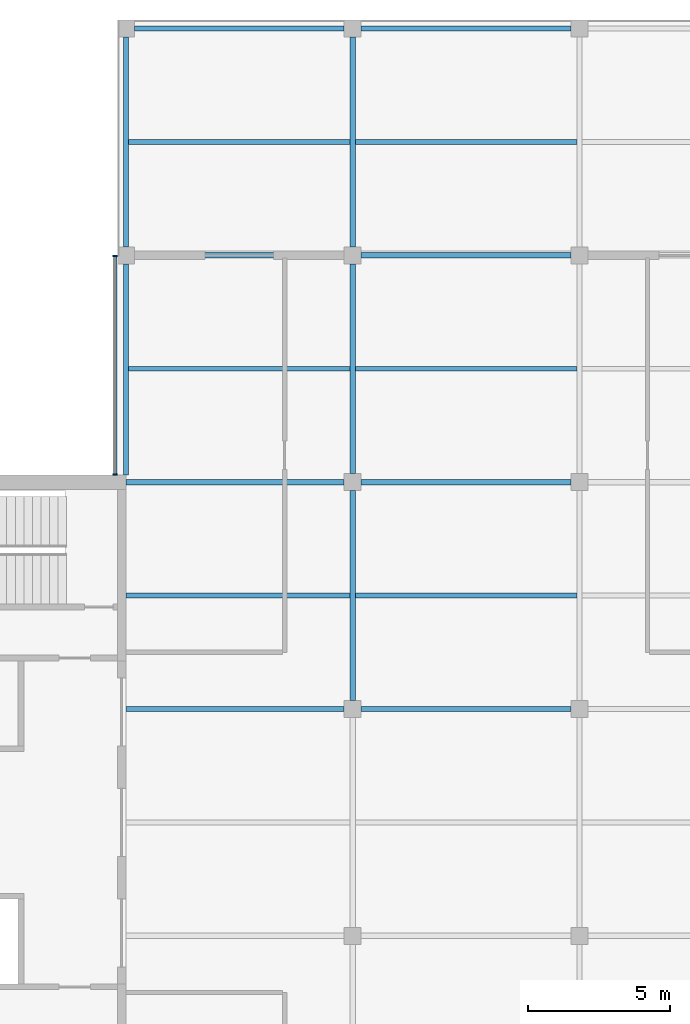
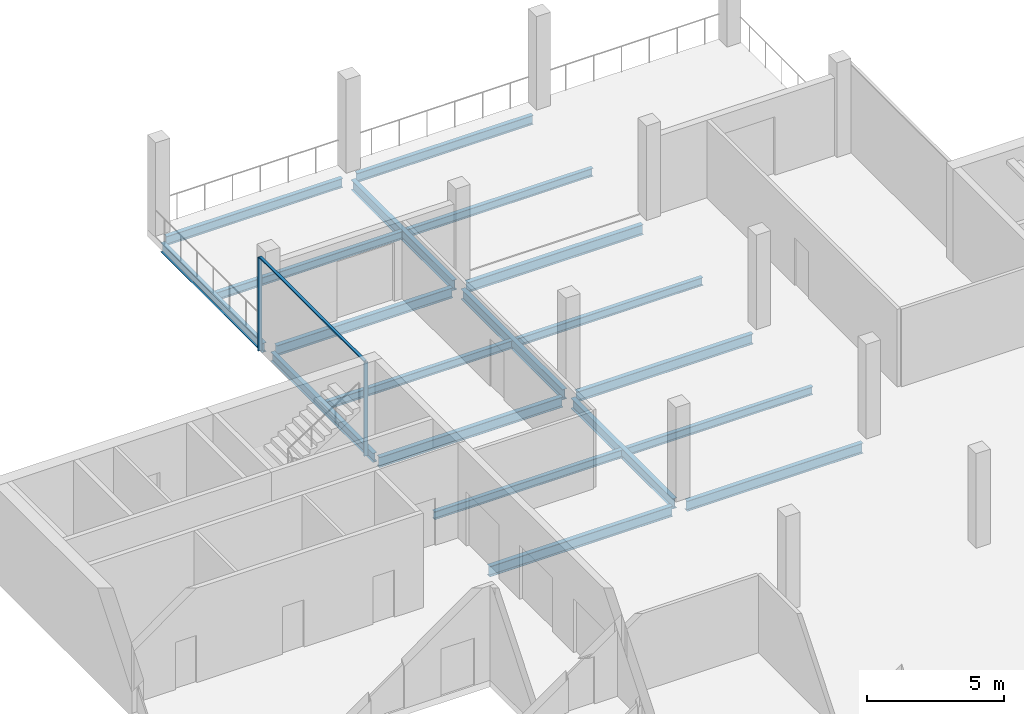
# One storey, part 5 of 12: 19 beams, 3 members, 1 element without a shape of its own.
"""IFC4 building model written with IfcOpenShell, lengths in metres."""

from ifc_helpers import new_model, si_unit, direction, frame, origin, origin_2d, place, context, subcontext, project, spatial, rectangle, i_section, extrude, material, material_profile, profile_set, type_object, element, aggregate, save


model = new_model("IFC4")

# Units and contexts
model_context = context("Model", 3, precision=1e-05, world=origin(), true_north=direction((0.0, 1.0)))
body_context = subcontext(model_context, "Body", "Model", "MODEL_VIEW")
ifc_project = project(units=[si_unit("LENGTHUNIT", "METRE"), si_unit("AREAUNIT", "SQUARE_METRE"), si_unit("VOLUMEUNIT", "CUBIC_METRE"), si_unit("PLANEANGLEUNIT", "RADIAN"), si_unit("MASSUNIT", "GRAM", prefix="KILO")], contexts=[model_context])

# Site, building, storey
site_placement = place(None, origin())
site = spatial("IfcSite", under=ifc_project, at=site_placement, CompositionType="ELEMENT")
building_placement = place(site_placement, origin())
building = spatial("IfcBuilding", under=site, at=building_placement, Name="Crosswind Convention Tower", CompositionType="ELEMENT")
storey_placement = place(building_placement, frame((0.0, 0.0, 332.300048828125)))
storey = spatial("IfcBuildingStorey", under=building, at=storey_placement, Name="L72", CompositionType="ELEMENT", Elevation=332.300048828125)

# Beams
ifc_material_1 = material(Name="Steel S355", Category="steel")
ifc_material_profile_1 = material_profile(ifc_material_1, i_section(OverallWidth=0.177734375, OverallDepth=0.406494140625, WebThickness=0.0078125, FlangeThickness=0.0126953125, FilletRadius=0.01025390625, at=origin_2d()), Name="UB 406x178x60")
ifc_profile_set_1 = profile_set([ifc_material_profile_1], Name="Steel S355")
beam_type_1 = type_object("IfcBeamType", Name="Edge beam UB 406x178x60", PredefinedType="SPANDREL", material=ifc_profile_set_1)
beam_1_placement = place(storey_placement, frame((113.0, 112.25, -0.503173828125), z_axis=(0.0, 1.0, 0.0), x_axis=(-1.0, 0.0, 0.0)))
element("IfcBeam", 1, at=beam_1_placement, inside=storey, type_object=beam_type_1, Name="B15 L72 edge beam 3", PredefinedType="SPANDREL", context=body_context, shape_type="SweptSolid", body=[
    extrude(i_section(OverallWidth=0.177734375, OverallDepth=0.406494140625, WebThickness=0.0078125, FlangeThickness=0.0126953125, FilletRadius=0.01025390625, at=origin_2d()), origin(), (0.0, 0.0, 1.0), 7.449951171875),
])
for number, where, z_axis, x_axis, name in (
    (2, (113.0, 120.300048828125, -0.503173828125), (0.0, 1.0, 0.0), (-1.0, 0.0, 0.0), "B15 L72 edge beam 4"),
    (3, (113.300048828125, 128.0, -0.503173828125), (1.0, 0.0, 0.0), (0.0, 1.0, 0.0), "B15 L72 edge beam 6"),
    (4, (121.300048828125, 128.0, -0.503173828125), (1.0, 0.0, 0.0), (0.0, 1.0, 0.0), "B15 L72 edge beam 8"),
):
    element("IfcBeam", number, at=place(storey_placement, frame(where, z_axis=z_axis, x_axis=x_axis)), inside=storey, type_object=beam_type_1, Name=name, PredefinedType="SPANDREL", context=body_context, shape_type="SweptSolid", body=[
        extrude(i_section(OverallWidth=0.177734375, OverallDepth=0.406494140625, WebThickness=0.0078125, FlangeThickness=0.0126953125, FilletRadius=0.01025390625, at=origin_2d()), origin(), (0.0, 0.0, 1.0), 7.39990234375),
    ])
ifc_material_profile_2 = material_profile(ifc_material_1, i_section(OverallWidth=0.18994140625, OverallDepth=0.45361328125, WebThickness=0.008544921875, FlangeThickness=0.0126953125, FilletRadius=0.01025390625, at=origin_2d()), Name="UB 457x191x67")
ifc_profile_set_2 = profile_set([ifc_material_profile_2], Name="Steel S355")
beam_type_2 = type_object("IfcBeamType", Name="Girder UB 457x191x67", PredefinedType="BEAM", material=ifc_profile_set_2)
for number, where, z_axis, x_axis, name in (
    (5, (113.300048828125, 120.0, -0.52685546875), (1.0, 0.0, 0.0), (0.0, 1.0, 0.0), "B1 L72 girder 2"),
    (6, (121.0, 104.300048828125, -0.52685546875), (0.0, 1.0, 0.0), (-1.0, 0.0, 0.0), "B1 L72 girder 7"),
    (7, (121.0, 112.300048828125, -0.52685546875), (0.0, 1.0, 0.0), (-1.0, 0.0, 0.0), "B1 L72 girder 8"),
    (8, (121.0, 120.300048828125, -0.52685546875), (0.0, 1.0, 0.0), (-1.0, 0.0, 0.0), "B1 L72 girder 9"),
    (9, (121.300048828125, 104.0, -0.52685546875), (1.0, 0.0, 0.0), (0.0, 1.0, 0.0), "B1 L72 girder 13"),
    (10, (121.300048828125, 112.0, -0.52685546875), (1.0, 0.0, 0.0), (0.0, 1.0, 0.0), "B1 L72 girder 14"),
    (11, (121.300048828125, 120.0, -0.52685546875), (1.0, 0.0, 0.0), (0.0, 1.0, 0.0), "B1 L72 girder 15"),
):
    element("IfcBeam", number, at=place(storey_placement, frame(where, z_axis=z_axis, x_axis=x_axis)), inside=storey, type_object=beam_type_2, Name=name, PredefinedType="BEAM", context=body_context, shape_type="SweptSolid", body=[
        extrude(i_section(OverallWidth=0.18994140625, OverallDepth=0.45361328125, WebThickness=0.008544921875, FlangeThickness=0.0126953125, FilletRadius=0.01025390625, at=origin_2d()), origin(), (0.0, 0.0, 1.0), 7.39990234375),
    ])
ifc_material_profile_3 = material_profile(ifc_material_1, i_section(OverallWidth=0.1904296875, OverallDepth=0.457275390625, WebThickness=0.009033203125, FlangeThickness=0.014404296875, FilletRadius=0.01025390625, at=origin_2d()), Name="UB 457x191x75")
ifc_profile_set_3 = profile_set([ifc_material_profile_3], Name="Steel S355")
beam_type_3 = type_object("IfcBeamType", Name="Girder at core wall UB 457x191x75", PredefinedType="BEAM", material=ifc_profile_set_3)
for number, where, z_axis, x_axis, name in (
    (12, (113.0, 104.0, -0.528564453125), (1.0, 0.0, 0.0), (0.0, 1.0, 0.0), "B22 L72 girder at core wall 3"),
    (13, (113.0, 112.0, -0.528564453125), (1.0, 0.0, 0.0), (0.0, 1.0, 0.0), "B22 L72 girder at core wall 4"),
):
    element("IfcBeam", number, at=place(storey_placement, frame(where, z_axis=z_axis, x_axis=x_axis)), inside=storey, type_object=beam_type_3, Name=name, PredefinedType="BEAM", context=body_context, shape_type="SweptSolid", body=[
        extrude(i_section(OverallWidth=0.1904296875, OverallDepth=0.457275390625, WebThickness=0.009033203125, FlangeThickness=0.014404296875, FilletRadius=0.01025390625, at=origin_2d()), origin(), (0.0, 0.0, 1.0), 7.699951171875),
    ])

# Curtain wall, members
ifc_material_2 = material(Name="Aluminium unitised curtain wall", Category="aluminium")
curtain_wall_type = type_object("IfcCurtainWallType", Name="CORE END SLOT WALL 160", PredefinedType="USERDEFINED", material=ifc_material_2)
curtain_wall_placement = place(storey_placement, origin())
curtain_wall = element("IfcCurtainWall", 14, at=curtain_wall_placement, inside=storey, type_object=curtain_wall_type, Name="CW6 L72 N-W.1-2 slot", ObjectType="UNITISED", PredefinedType="USERDEFINED")
ifc_material_3 = material(Name="Aluminium mullion", Category="aluminium")
ifc_material_profile_4 = material_profile(ifc_material_3, rectangle(XDim=0.159912109375, YDim=0.050048828125, at=origin_2d()), Name="AL 160X50")
ifc_profile_set_4 = profile_set([ifc_material_profile_4], Name="Aluminium mullion")
member_type_1 = type_object("IfcMemberType", Name="MULLION 50X160", PredefinedType="MULLION", material=ifc_profile_set_4)
member_1_placement = place(storey_placement, frame((112.6201171875, 119.97509765625, -0.300048828125), z_axis=(0.0, 0.0, 1.0), x_axis=(-1.0, 0.0, 0.0)))
member_1 = element("IfcMember", 15, at=member_1_placement, type_object=member_type_1, Name="CW6 mullion 1", PredefinedType="MULLION", context=body_context, shape_type="SweptSolid", body=[
    extrude(rectangle(XDim=0.159912109375, YDim=0.050048828125, at=origin_2d()), origin(), (0.0, 0.0, 1.0), 4.14990234375),
])
member_2_placement = place(storey_placement, frame((112.6201171875, 112.27490234375, -0.300048828125), z_axis=(0.0, 0.0, 1.0), x_axis=(-1.0, 0.0, 0.0)))
member_2 = element("IfcMember", 16, at=member_2_placement, type_object=member_type_1, Name="CW6 mullion 2", PredefinedType="MULLION", context=body_context, shape_type="SweptSolid", body=[
    extrude(rectangle(XDim=0.159912109375, YDim=0.050048828125, at=origin_2d()), origin(), (0.0, 0.0, 1.0), 4.14990234375),
])

# Beams
ifc_material_profile_5 = material_profile(ifc_material_1, i_section(OverallWidth=0.17138671875, OverallDepth=0.355712890625, WebThickness=0.00732421875, FlangeThickness=0.011474609375, FilletRadius=0.01025390625, at=origin_2d()), Name="UB 356x171x51")
ifc_profile_set_5 = profile_set([ifc_material_profile_5], Name="Steel S355")
beam_type_4 = type_object("IfcBeamType", Name="Secondary beam UB 356x171x51", PredefinedType="JOIST", material=ifc_profile_set_5)
beam_2_placement = place(storey_placement, frame((113.0, 108.0, -0.477783203125), z_axis=(1.0, 0.0, 0.0), x_axis=(0.0, 1.0, 0.0)))
element("IfcBeam", 17, at=beam_2_placement, inside=storey, type_object=beam_type_4, Name="B8 L72 secondary beam 3", PredefinedType="JOIST", context=body_context, shape_type="SweptSolid", body=[
    extrude(i_section(OverallWidth=0.17138671875, OverallDepth=0.355712890625, WebThickness=0.00732421875, FlangeThickness=0.011474609375, FilletRadius=0.01025390625, at=origin_2d()), origin(), (0.0, 0.0, 1.0), 7.905029296875),
])
for number, where, z_axis, x_axis, name in (
    (18, (113.0888671875, 116.0, -0.477783203125), (1.0, 0.0, 0.0), (0.0, 1.0, 0.0), "B8 L72 secondary beam 6"),
    (19, (113.0888671875, 124.0, -0.477783203125), (1.0, 0.0, 0.0), (0.0, 1.0, 0.0), "B8 L72 secondary beam 7"),
):
    element("IfcBeam", number, at=place(storey_placement, frame(where, z_axis=z_axis, x_axis=x_axis)), inside=storey, type_object=beam_type_4, Name=name, PredefinedType="JOIST", context=body_context, shape_type="SweptSolid", body=[
        extrude(i_section(OverallWidth=0.17138671875, OverallDepth=0.355712890625, WebThickness=0.00732421875, FlangeThickness=0.011474609375, FilletRadius=0.01025390625, at=origin_2d()), origin(), (0.0, 0.0, 1.0), 7.816162109375),
    ])
for number, where, z_axis, x_axis, name in (
    (20, (121.094970703125, 108.0, -0.477783203125), (1.0, 0.0, 0.0), (0.0, 1.0, 0.0), "B8 L72 secondary beam 12"),
    (21, (121.094970703125, 116.0, -0.477783203125), (1.0, 0.0, 0.0), (0.0, 1.0, 0.0), "B8 L72 secondary beam 13"),
    (22, (121.094970703125, 124.0, -0.477783203125), (1.0, 0.0, 0.0), (0.0, 1.0, 0.0), "B8 L72 secondary beam 14"),
):
    element("IfcBeam", number, at=place(storey_placement, frame(where, z_axis=z_axis, x_axis=x_axis)), inside=storey, type_object=beam_type_4, Name=name, PredefinedType="JOIST", context=body_context, shape_type="SweptSolid", body=[
        extrude(i_section(OverallWidth=0.17138671875, OverallDepth=0.355712890625, WebThickness=0.00732421875, FlangeThickness=0.011474609375, FilletRadius=0.01025390625, at=origin_2d()), origin(), (0.0, 0.0, 1.0), 7.81005859375),
    ])

# Member
ifc_material_4 = material(Name="Aluminium transom", Category="aluminium")
ifc_material_profile_6 = material_profile(ifc_material_4, rectangle(XDim=0.1201171875, YDim=0.050048828125, at=origin_2d()), Name="AL 120X50")
ifc_profile_set_6 = profile_set([ifc_material_profile_6], Name="Aluminium transom")
member_type_2 = type_object("IfcMemberType", Name="TRANSOM 50X120", PredefinedType="USERDEFINED", material=ifc_profile_set_6)
member_3_placement = place(storey_placement, frame((112.6201171875, 119.949951171875, 3.875), z_axis=(0.0, -1.0, 0.0), x_axis=(1.0, 0.0, 0.0)))
member_3 = element("IfcMember", 23, at=member_3_placement, type_object=member_type_2, Name="CW6 transom", ObjectType="TRANSOM", PredefinedType="USERDEFINED", context=body_context, shape_type="SweptSolid", body=[
    extrude(rectangle(XDim=0.1201171875, YDim=0.050048828125, at=origin_2d()), origin(), (0.0, 0.0, 1.0), 7.64990234375),
])

aggregate(curtain_wall, [member_1, member_2, member_3])

save(model, "model.ifc")
